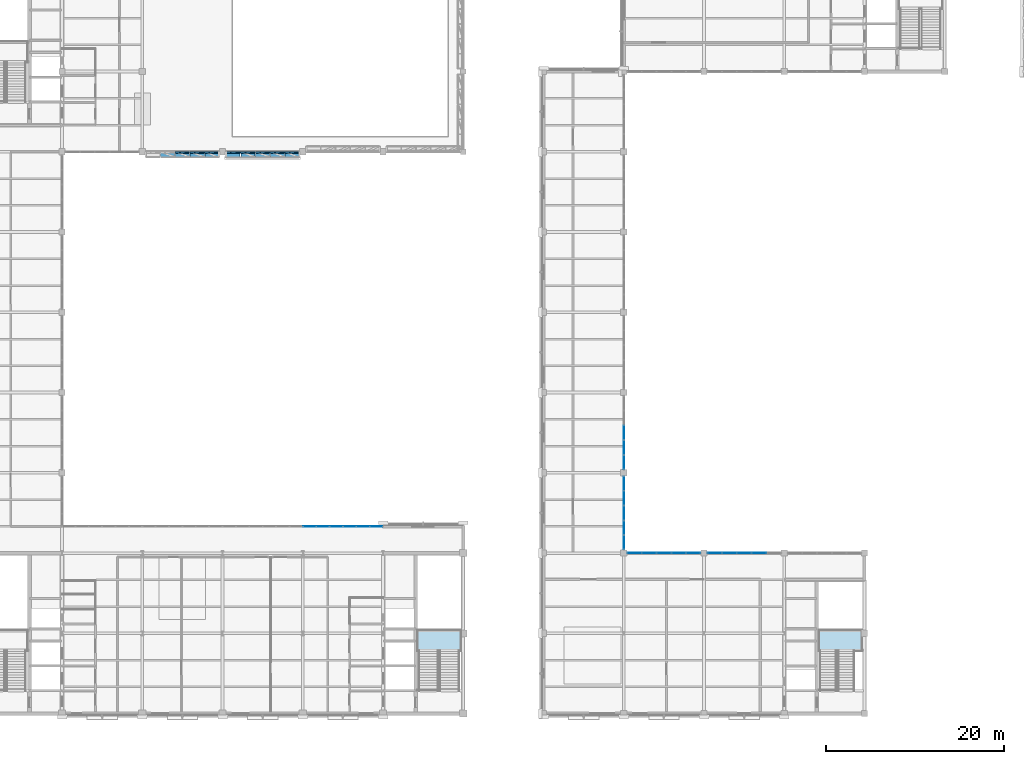
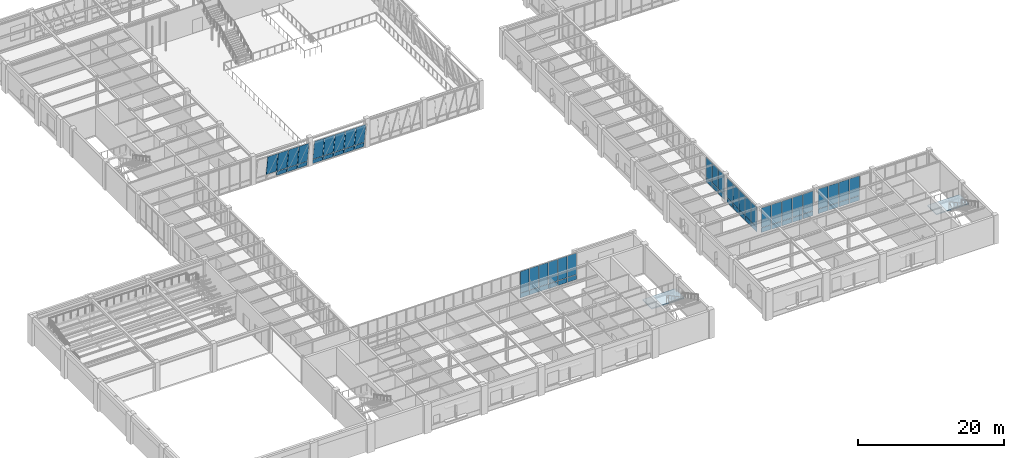
# One storey, part 69 of 98: 63 plates, 2 slabs, 9 elements without a shape of their own.
"""IFC4 building model written with IfcOpenShell, lengths in metres."""

from ifc_helpers import new_model, si_unit, direction, frame, origin, origin_2d, place, context, subcontext, project, spatial, polyline, rectangle, outline, extrude, material, layer, layer_set, type_object, element, aggregate, save


model = new_model("IFC4")

# Units and contexts
model_context = context("Model", 3, precision=1e-05, world=origin(), true_north=direction((0.0, 1.0)))
body_context = subcontext(model_context, "Body", "Model", "MODEL_VIEW")
ifc_project = project(units=[si_unit("LENGTHUNIT", "METRE"), si_unit("AREAUNIT", "SQUARE_METRE"), si_unit("VOLUMEUNIT", "CUBIC_METRE"), si_unit("PLANEANGLEUNIT", "RADIAN"), si_unit("MASSUNIT", "GRAM", prefix="KILO")], contexts=[model_context])

# Site, building, storey
site_placement = place(None, origin())
site = spatial("IfcSite", under=ifc_project, at=site_placement, CompositionType="ELEMENT")
building_placement = place(site_placement, origin())
building = spatial("IfcBuilding", under=site, at=building_placement, Name="Lykobir Media Centre", CompositionType="ELEMENT")
storey_placement = place(building_placement, frame((0.0, 0.0, 10.199951171875)))
storey = spatial("IfcBuildingStorey", under=building, at=storey_placement, Name="L02", CompositionType="ELEMENT", Elevation=10.199951171875)

# Curtain wall, plates
ifc_material_1 = material(Name="Anodized Aluminium AW-6060", Category="aluminium")
curtain_wall_type_1 = type_object("IfcCurtainWallType", Name="CW-COURT-A", PredefinedType="NOTDEFINED", material=ifc_material_1)
curtain_wall_1_placement = place(storey_placement, origin())
curtain_wall_1 = element("IfcCurtainWall", 1, at=curtain_wall_1_placement, inside=storey, type_object=curtain_wall_type_1, Name="Curtain wall CW2-L02-0076", PredefinedType="NOTDEFINED")
ifc_material_2 = material(Name="Low-E Laminated Triple Glazing", Category="glass")
ifc_layer_1 = layer(ifc_material_2, 0.0380859375, Name="Low-E Laminated Triple Glazing")
ifc_layer_set_1 = layer_set([ifc_layer_1], Name="Low-E Laminated Triple Glazing")
plate_type_1 = type_object("IfcPlateType", Name="CWP-GLZ-38", PredefinedType="CURTAIN_PANEL", material=ifc_layer_set_1)
plate_1_placement = place(storey_placement, frame((63.76611328125, 21.0, 0.882568359375), z_axis=(0.0, 0.0, 1.0), x_axis=(1.0, 0.0, 0.0)))
plate_1 = element("IfcPlate", 2, at=plate_1_placement, type_object=plate_type_1, Name="CW2-L02-0076 panel 1.2", PredefinedType="CURTAIN_PANEL", context=body_context, shape_type="SweptSolid", body=[
    extrude(rectangle(XDim=1.402587890625, YDim=0.0380859375, at=origin_2d()), origin(), (0.0, 0.0, 1.0), 3.592529296875),
])
plate_2_placement = place(storey_placement, frame((65.25, 21.0, 0.882568359375), z_axis=(0.0, 0.0, 1.0), x_axis=(1.0, 0.0, 0.0)))
plate_2 = element("IfcPlate", 3, at=plate_2_placement, type_object=plate_type_1, Name="CW2-L02-0076 panel 2.2", PredefinedType="CURTAIN_PANEL", context=body_context, shape_type="SweptSolid", body=[
    extrude(rectangle(XDim=1.43505859375, YDim=0.0380859375, at=origin_2d()), origin(), (0.0, 0.0, 1.0), 3.592529296875),
])
plate_3_placement = place(storey_placement, frame((66.75, 21.0, 0.882568359375), z_axis=(0.0, 0.0, 1.0), x_axis=(1.0, 0.0, 0.0)))
plate_3 = element("IfcPlate", 4, at=plate_3_placement, type_object=plate_type_1, Name="CW2-L02-0076 panel 3.2", PredefinedType="CURTAIN_PANEL", context=body_context, shape_type="SweptSolid", body=[
    extrude(rectangle(XDim=1.43505859375, YDim=0.0380859375, at=origin_2d()), origin(), (0.0, 0.0, 1.0), 3.592529296875),
])
plate_4_placement = place(storey_placement, frame((68.25, 21.0, 0.882568359375), z_axis=(0.0, 0.0, 1.0), x_axis=(1.0, 0.0, 0.0)))
plate_4 = element("IfcPlate", 5, at=plate_4_placement, type_object=plate_type_1, Name="CW2-L02-0076 panel 4.2", PredefinedType="CURTAIN_PANEL", context=body_context, shape_type="SweptSolid", body=[
    extrude(rectangle(XDim=1.43505859375, YDim=0.0380859375, at=origin_2d()), origin(), (0.0, 0.0, 1.0), 3.592529296875),
])
plate_5_placement = place(storey_placement, frame((69.75, 21.0, 0.882568359375), z_axis=(0.0, 0.0, 1.0), x_axis=(1.0, 0.0, 0.0)))
plate_5 = element("IfcPlate", 6, at=plate_5_placement, type_object=plate_type_1, Name="CW2-L02-0076 panel 5.2", PredefinedType="CURTAIN_PANEL", context=body_context, shape_type="SweptSolid", body=[
    extrude(rectangle(XDim=1.43505859375, YDim=0.0380859375, at=origin_2d()), origin(), (0.0, 0.0, 1.0), 3.592529296875),
])
plate_6_placement = place(storey_placement, frame((71.23388671875, 21.0, 0.882568359375), z_axis=(0.0, 0.0, 1.0), x_axis=(1.0, 0.0, 0.0)))
plate_6 = element("IfcPlate", 7, at=plate_6_placement, type_object=plate_type_1, Name="CW2-L02-0076 panel 6.2", PredefinedType="CURTAIN_PANEL", context=body_context, shape_type="SweptSolid", body=[
    extrude(rectangle(XDim=1.402587890625, YDim=0.0380859375, at=origin_2d()), origin(), (0.0, 0.0, 1.0), 3.592529296875),
])

curtain_wall_2_placement = place(storey_placement, origin())
curtain_wall_2 = element("IfcCurtainWall", 8, at=curtain_wall_2_placement, inside=storey, type_object=curtain_wall_type_1, Name="Curtain wall CW2-L02-0099", PredefinedType="NOTDEFINED")
plate_7_placement = place(storey_placement, frame((100.2001953125, 18.0, 0.882568359375), z_axis=(0.0, 0.0, 1.0), x_axis=(1.0, 0.0, 0.0)))
plate_7 = element("IfcPlate", 9, at=plate_7_placement, type_object=plate_type_1, Name="CW2-L02-0099 panel 1.2", PredefinedType="CURTAIN_PANEL", context=body_context, shape_type="SweptSolid", body=[
    extrude(rectangle(XDim=1.560546875, YDim=0.0380859375, at=origin_2d()), origin(), (0.0, 0.0, 1.0), 3.28759765625),
])
plate_8_placement = place(storey_placement, frame((101.842041015625, 18.0, 0.882568359375), z_axis=(0.0, 0.0, 1.0), x_axis=(1.0, 0.0, 0.0)))
plate_8 = element("IfcPlate", 10, at=plate_8_placement, type_object=plate_type_1, Name="CW2-L02-0099 panel 2.2", PredefinedType="CURTAIN_PANEL", context=body_context, shape_type="SweptSolid", body=[
    extrude(rectangle(XDim=1.593017578125, YDim=0.0380859375, at=origin_2d()), origin(), (0.0, 0.0, 1.0), 3.28759765625),
])
plate_9_placement = place(storey_placement, frame((103.5, 18.0, 0.882568359375), z_axis=(0.0, 0.0, 1.0), x_axis=(1.0, 0.0, 0.0)))
plate_9 = element("IfcPlate", 11, at=plate_9_placement, type_object=plate_type_1, Name="CW2-L02-0099 panel 3.2", PredefinedType="CURTAIN_PANEL", context=body_context, shape_type="SweptSolid", body=[
    extrude(rectangle(XDim=1.593017578125, YDim=0.0380859375, at=origin_2d()), origin(), (0.0, 0.0, 1.0), 3.28759765625),
])
plate_10_placement = place(storey_placement, frame((105.157958984375, 18.0, 0.882568359375), z_axis=(0.0, 0.0, 1.0), x_axis=(1.0, 0.0, 0.0)))
plate_10 = element("IfcPlate", 12, at=plate_10_placement, type_object=plate_type_1, Name="CW2-L02-0099 panel 4.2", PredefinedType="CURTAIN_PANEL", context=body_context, shape_type="SweptSolid", body=[
    extrude(rectangle(XDim=1.593017578125, YDim=0.0380859375, at=origin_2d()), origin(), (0.0, 0.0, 1.0), 3.28759765625),
])
plate_11_placement = place(storey_placement, frame((106.7998046875, 18.0, 0.882568359375), z_axis=(0.0, 0.0, 1.0), x_axis=(1.0, 0.0, 0.0)))
plate_11 = element("IfcPlate", 13, at=plate_11_placement, type_object=plate_type_1, Name="CW2-L02-0099 panel 5.2", PredefinedType="CURTAIN_PANEL", context=body_context, shape_type="SweptSolid", body=[
    extrude(rectangle(XDim=1.560546875, YDim=0.0380859375, at=origin_2d()), origin(), (0.0, 0.0, 1.0), 3.28759765625),
])

curtain_wall_3_placement = place(storey_placement, origin())
curtain_wall_3 = element("IfcCurtainWall", 14, at=curtain_wall_3_placement, inside=storey, type_object=curtain_wall_type_1, Name="Curtain wall CW2-L02-0100", PredefinedType="NOTDEFINED")
plate_12_placement = place(storey_placement, frame((109.2001953125, 18.0, 0.882568359375), z_axis=(0.0, 0.0, 1.0), x_axis=(1.0, 0.0, 0.0)))
plate_12 = element("IfcPlate", 15, at=plate_12_placement, type_object=plate_type_1, Name="CW2-L02-0100 panel 1.2", PredefinedType="CURTAIN_PANEL", context=body_context, shape_type="SweptSolid", body=[
    extrude(rectangle(XDim=1.560546875, YDim=0.0380859375, at=origin_2d()), origin(), (0.0, 0.0, 1.0), 3.28759765625),
])
plate_13_placement = place(storey_placement, frame((110.842041015625, 18.0, 0.882568359375), z_axis=(0.0, 0.0, 1.0), x_axis=(1.0, 0.0, 0.0)))
plate_13 = element("IfcPlate", 16, at=plate_13_placement, type_object=plate_type_1, Name="CW2-L02-0100 panel 2.2", PredefinedType="CURTAIN_PANEL", context=body_context, shape_type="SweptSolid", body=[
    extrude(rectangle(XDim=1.593017578125, YDim=0.0380859375, at=origin_2d()), origin(), (0.0, 0.0, 1.0), 3.28759765625),
])
plate_14_placement = place(storey_placement, frame((112.5, 18.0, 0.882568359375), z_axis=(0.0, 0.0, 1.0), x_axis=(1.0, 0.0, 0.0)))
plate_14 = element("IfcPlate", 17, at=plate_14_placement, type_object=plate_type_1, Name="CW2-L02-0100 panel 3.2", PredefinedType="CURTAIN_PANEL", context=body_context, shape_type="SweptSolid", body=[
    extrude(rectangle(XDim=1.593017578125, YDim=0.0380859375, at=origin_2d()), origin(), (0.0, 0.0, 1.0), 3.28759765625),
])
plate_15_placement = place(storey_placement, frame((114.157958984375, 18.0, 0.882568359375), z_axis=(0.0, 0.0, 1.0), x_axis=(1.0, 0.0, 0.0)))
plate_15 = element("IfcPlate", 18, at=plate_15_placement, type_object=plate_type_1, Name="CW2-L02-0100 panel 4.2", PredefinedType="CURTAIN_PANEL", context=body_context, shape_type="SweptSolid", body=[
    extrude(rectangle(XDim=1.593017578125, YDim=0.0380859375, at=origin_2d()), origin(), (0.0, 0.0, 1.0), 3.28759765625),
])

curtain_wall_4_placement = place(storey_placement, origin())
curtain_wall_4 = element("IfcCurtainWall", 19, at=curtain_wall_4_placement, inside=storey, type_object=curtain_wall_type_1, Name="Curtain wall CW2-L02-0102", PredefinedType="NOTDEFINED")
plate_16_placement = place(storey_placement, frame((99.0, 25.7998046875, 0.882568359375), z_axis=(0.0, 0.0, 1.0), x_axis=(0.0, -1.0, 0.0)))
plate_16 = element("IfcPlate", 20, at=plate_16_placement, type_object=plate_type_1, Name="CW2-L02-0102 panel 1.2", PredefinedType="CURTAIN_PANEL", context=body_context, shape_type="SweptSolid", body=[
    extrude(rectangle(XDim=1.560546875, YDim=0.0380859375, at=origin_2d()), origin(), (0.0, 0.0, 1.0), 3.267578125),
])
plate_17_placement = place(storey_placement, frame((99.0, 24.157958984375, 0.882568359375), z_axis=(0.0, 0.0, 1.0), x_axis=(0.0, -1.0, 0.0)))
plate_17 = element("IfcPlate", 21, at=plate_17_placement, type_object=plate_type_1, Name="CW2-L02-0102 panel 2.2", PredefinedType="CURTAIN_PANEL", context=body_context, shape_type="SweptSolid", body=[
    extrude(rectangle(XDim=1.593017578125, YDim=0.0380859375, at=origin_2d()), origin(), (0.0, 0.0, 1.0), 3.267578125),
])
plate_18_placement = place(storey_placement, frame((99.0, 22.5, 0.882568359375), z_axis=(0.0, 0.0, 1.0), x_axis=(0.0, -1.0, 0.0)))
plate_18 = element("IfcPlate", 22, at=plate_18_placement, type_object=plate_type_1, Name="CW2-L02-0102 panel 3.2", PredefinedType="CURTAIN_PANEL", context=body_context, shape_type="SweptSolid", body=[
    extrude(rectangle(XDim=1.593017578125, YDim=0.0380859375, at=origin_2d()), origin(), (0.0, 0.0, 1.0), 3.267578125),
])
plate_19_placement = place(storey_placement, frame((99.0, 20.842041015625, 0.882568359375), z_axis=(0.0, 0.0, 1.0), x_axis=(0.0, -1.0, 0.0)))
plate_19 = element("IfcPlate", 23, at=plate_19_placement, type_object=plate_type_1, Name="CW2-L02-0102 panel 4.2", PredefinedType="CURTAIN_PANEL", context=body_context, shape_type="SweptSolid", body=[
    extrude(rectangle(XDim=1.593017578125, YDim=0.0380859375, at=origin_2d()), origin(), (0.0, 0.0, 1.0), 3.267578125),
])
plate_20_placement = place(storey_placement, frame((99.0, 19.2001953125, 0.882568359375), z_axis=(0.0, 0.0, 1.0), x_axis=(0.0, -1.0, 0.0)))
plate_20 = element("IfcPlate", 24, at=plate_20_placement, type_object=plate_type_1, Name="CW2-L02-0102 panel 5.2", PredefinedType="CURTAIN_PANEL", context=body_context, shape_type="SweptSolid", body=[
    extrude(rectangle(XDim=1.560546875, YDim=0.0380859375, at=origin_2d()), origin(), (0.0, 0.0, 1.0), 3.267578125),
])

curtain_wall_5_placement = place(storey_placement, origin())
curtain_wall_5 = element("IfcCurtainWall", 25, at=curtain_wall_5_placement, inside=storey, type_object=curtain_wall_type_1, Name="Curtain wall CW2-L02-0103", PredefinedType="NOTDEFINED")
plate_21_placement = place(storey_placement, frame((99.0, 31.5, 0.882568359375), z_axis=(0.0, 0.0, 1.0), x_axis=(0.0, -1.0, 0.0)))
plate_21 = element("IfcPlate", 26, at=plate_21_placement, type_object=plate_type_1, Name="CW2-L02-0103 panel 3.2", PredefinedType="CURTAIN_PANEL", context=body_context, shape_type="SweptSolid", body=[
    extrude(rectangle(XDim=1.593017578125, YDim=0.0380859375, at=origin_2d()), origin(), (0.0, 0.0, 1.0), 3.267578125),
])
plate_22_placement = place(storey_placement, frame((99.0, 29.842041015625, 0.882568359375), z_axis=(0.0, 0.0, 1.0), x_axis=(0.0, -1.0, 0.0)))
plate_22 = element("IfcPlate", 27, at=plate_22_placement, type_object=plate_type_1, Name="CW2-L02-0103 panel 4.2", PredefinedType="CURTAIN_PANEL", context=body_context, shape_type="SweptSolid", body=[
    extrude(rectangle(XDim=1.593017578125, YDim=0.0380859375, at=origin_2d()), origin(), (0.0, 0.0, 1.0), 3.267578125),
])
plate_23_placement = place(storey_placement, frame((99.0, 28.2001953125, 0.882568359375), z_axis=(0.0, 0.0, 1.0), x_axis=(0.0, -1.0, 0.0)))
plate_23 = element("IfcPlate", 28, at=plate_23_placement, type_object=plate_type_1, Name="CW2-L02-0103 panel 5.2", PredefinedType="CURTAIN_PANEL", context=body_context, shape_type="SweptSolid", body=[
    extrude(rectangle(XDim=1.560546875, YDim=0.0380859375, at=origin_2d()), origin(), (0.0, 0.0, 1.0), 3.267578125),
])

curtain_wall_type_2 = type_object("IfcCurtainWallType", Name="CW-V6-CR2", PredefinedType="NOTDEFINED", material=ifc_material_1)
curtain_wall_6_placement = place(storey_placement, origin())
curtain_wall_6 = element("IfcCurtainWall", 29, at=curtain_wall_6_placement, inside=storey, type_object=curtain_wall_type_2, Name="Curtain wall CW2-L02-0083", PredefinedType="NOTDEFINED")
ifc_layer_2 = layer(ifc_material_2, 0.0439453125, Name="Low-E Laminated Triple Glazing")
ifc_layer_set_2 = layer_set([ifc_layer_2], Name="Low-E Laminated Triple Glazing")
plate_type_2 = type_object("IfcPlateType", Name="CWP-GLZ-44", PredefinedType="CURTAIN_PANEL", material=ifc_layer_set_2)
plate_24_placement = place(storey_placement, frame((47.842041015625, 62.873291015625, 0.87841796875), z_axis=(0.0, -0.142628933706, 0.989776230908), x_axis=(1.0, 0.0, 0.0)))
plate_24 = element("IfcPlate", 30, at=plate_24_placement, type_object=plate_type_2, Name="CW2-L02-0083 panel 2.2", PredefinedType="CURTAIN_PANEL", context=body_context, shape_type="SweptSolid", body=[
    extrude(rectangle(XDim=1.5830078125, YDim=0.0439453125, at=origin_2d()), origin(), (0.0, 0.0, 1.0), 3.316162109375),
])
plate_25_placement = place(storey_placement, frame((49.5, 62.873291015625, 0.87841796875), z_axis=(0.0, -0.142628933706, 0.989776230908), x_axis=(1.0, 0.0, 0.0)))
plate_25 = element("IfcPlate", 31, at=plate_25_placement, type_object=plate_type_2, Name="CW2-L02-0083 panel 3.2", PredefinedType="CURTAIN_PANEL", context=body_context, shape_type="SweptSolid", body=[
    extrude(rectangle(XDim=1.5830078125, YDim=0.0439453125, at=origin_2d()), origin(), (0.0, 0.0, 1.0), 3.316162109375),
])
plate_26_placement = place(storey_placement, frame((51.157958984375, 62.873291015625, 0.87841796875), z_axis=(0.0, -0.142628933706, 0.989776230908), x_axis=(1.0, 0.0, 0.0)))
plate_26 = element("IfcPlate", 32, at=plate_26_placement, type_object=plate_type_2, Name="CW2-L02-0083 panel 4.2", PredefinedType="CURTAIN_PANEL", context=body_context, shape_type="SweptSolid", body=[
    extrude(rectangle(XDim=1.5830078125, YDim=0.0439453125, at=origin_2d()), origin(), (0.0, 0.0, 1.0), 3.316162109375),
])
plate_27_placement = place(storey_placement, frame((52.79736328125, 62.873291015625, 0.87841796875), z_axis=(0.0, -0.142628933706, 0.989776230908), x_axis=(1.0, 0.0, 0.0)))
plate_27 = element("IfcPlate", 33, at=plate_27_placement, type_object=plate_type_2, Name="CW2-L02-0083 panel 5.2", PredefinedType="CURTAIN_PANEL", context=body_context, shape_type="SweptSolid", body=[
    extrude(rectangle(XDim=1.54541015625, YDim=0.0439453125, at=origin_2d()), origin(), (0.0, 0.0, 1.0), 3.316162109375),
])

curtain_wall_7_placement = place(storey_placement, origin())
curtain_wall_7 = element("IfcCurtainWall", 34, at=curtain_wall_7_placement, inside=storey, type_object=curtain_wall_type_2, Name="Curtain wall CW2-L02-0084", PredefinedType="NOTDEFINED")
plate_28_placement = place(storey_placement, frame((55.20263671875, 62.873291015625, 0.87841796875), z_axis=(0.0, -0.142628933706, 0.989776230908), x_axis=(1.0, 0.0, 0.0)))
plate_28 = element("IfcPlate", 35, at=plate_28_placement, type_object=plate_type_2, Name="CW2-L02-0084 panel 1.2", PredefinedType="CURTAIN_PANEL", context=body_context, shape_type="SweptSolid", body=[
    extrude(rectangle(XDim=1.54541015625, YDim=0.0439453125, at=origin_2d()), origin(), (0.0, 0.0, 1.0), 3.316162109375),
])
plate_29_placement = place(storey_placement, frame((56.842041015625, 62.873291015625, 0.87841796875), z_axis=(0.0, -0.142628933706, 0.989776230908), x_axis=(1.0, 0.0, 0.0)))
plate_29 = element("IfcPlate", 36, at=plate_29_placement, type_object=plate_type_2, Name="CW2-L02-0084 panel 2.2", PredefinedType="CURTAIN_PANEL", context=body_context, shape_type="SweptSolid", body=[
    extrude(rectangle(XDim=1.5830078125, YDim=0.0439453125, at=origin_2d()), origin(), (0.0, 0.0, 1.0), 3.316162109375),
])
plate_30_placement = place(storey_placement, frame((58.5, 62.873291015625, 0.87841796875), z_axis=(0.0, -0.142628933706, 0.989776230908), x_axis=(1.0, 0.0, 0.0)))
plate_30 = element("IfcPlate", 37, at=plate_30_placement, type_object=plate_type_2, Name="CW2-L02-0084 panel 3.2", PredefinedType="CURTAIN_PANEL", context=body_context, shape_type="SweptSolid", body=[
    extrude(rectangle(XDim=1.5830078125, YDim=0.0439453125, at=origin_2d()), origin(), (0.0, 0.0, 1.0), 3.316162109375),
])
plate_31_placement = place(storey_placement, frame((60.157958984375, 62.873291015625, 0.87841796875), z_axis=(0.0, -0.142628933706, 0.989776230908), x_axis=(1.0, 0.0, 0.0)))
plate_31 = element("IfcPlate", 38, at=plate_31_placement, type_object=plate_type_2, Name="CW2-L02-0084 panel 4.2", PredefinedType="CURTAIN_PANEL", context=body_context, shape_type="SweptSolid", body=[
    extrude(rectangle(XDim=1.5830078125, YDim=0.0439453125, at=origin_2d()), origin(), (0.0, 0.0, 1.0), 3.316162109375),
])
plate_32_placement = place(storey_placement, frame((61.79736328125, 62.873291015625, 0.87841796875), z_axis=(0.0, -0.142628933706, 0.989776230908), x_axis=(1.0, 0.0, 0.0)))
plate_32 = element("IfcPlate", 39, at=plate_32_placement, type_object=plate_type_2, Name="CW2-L02-0084 panel 5.2", PredefinedType="CURTAIN_PANEL", context=body_context, shape_type="SweptSolid", body=[
    extrude(rectangle(XDim=1.54541015625, YDim=0.0439453125, at=origin_2d()), origin(), (0.0, 0.0, 1.0), 3.316162109375),
])

# Plate
ifc_material_3 = material(Name="Glazed Turquoise Terracotta", Category="masonry")
ifc_layer_3 = layer(ifc_material_3, 0.06005859375, Name="Glazed Turquoise Terracotta")
ifc_layer_set_3 = layer_set([ifc_layer_3], Name="Glazed Turquoise Terracotta")
plate_type_3 = type_object("IfcPlateType", Name="CWP-SPN-60", PredefinedType="CURTAIN_PANEL", material=ifc_layer_set_3)
plate_33_placement = place(storey_placement, frame((63.76611328125, 21.0, 0.06494140625), z_axis=(0.0, 0.0, 1.0), x_axis=(1.0, 0.0, 0.0)))
plate_33 = element("IfcPlate", 40, at=plate_33_placement, type_object=plate_type_3, Name="CW2-L02-0076 panel 1.1", PredefinedType="CURTAIN_PANEL", context=body_context, shape_type="SweptSolid", body=[
    extrude(rectangle(XDim=1.402587890625, YDim=0.06005859375, at=origin_2d()), origin(), (0.0, 0.0, 1.0), 0.75244140625),
])

plate_34_placement = place(storey_placement, frame((65.25, 21.0, 0.06494140625), z_axis=(0.0, 0.0, 1.0), x_axis=(1.0, 0.0, 0.0)))
plate_34 = element("IfcPlate", 41, at=plate_34_placement, type_object=plate_type_3, Name="CW2-L02-0076 panel 2.1", PredefinedType="CURTAIN_PANEL", context=body_context, shape_type="SweptSolid", body=[
    extrude(rectangle(XDim=1.43505859375, YDim=0.06005859375, at=origin_2d()), origin(), (0.0, 0.0, 1.0), 0.75244140625),
])

plate_35_placement = place(storey_placement, frame((66.75, 21.0, 0.06494140625), z_axis=(0.0, 0.0, 1.0), x_axis=(1.0, 0.0, 0.0)))
plate_35 = element("IfcPlate", 42, at=plate_35_placement, type_object=plate_type_3, Name="CW2-L02-0076 panel 3.1", PredefinedType="CURTAIN_PANEL", context=body_context, shape_type="SweptSolid", body=[
    extrude(rectangle(XDim=1.43505859375, YDim=0.06005859375, at=origin_2d()), origin(), (0.0, 0.0, 1.0), 0.75244140625),
])

plate_36_placement = place(storey_placement, frame((68.25, 21.0, 0.06494140625), z_axis=(0.0, 0.0, 1.0), x_axis=(1.0, 0.0, 0.0)))
plate_36 = element("IfcPlate", 43, at=plate_36_placement, type_object=plate_type_3, Name="CW2-L02-0076 panel 4.1", PredefinedType="CURTAIN_PANEL", context=body_context, shape_type="SweptSolid", body=[
    extrude(rectangle(XDim=1.43505859375, YDim=0.06005859375, at=origin_2d()), origin(), (0.0, 0.0, 1.0), 0.75244140625),
])

plate_37_placement = place(storey_placement, frame((69.75, 21.0, 0.06494140625), z_axis=(0.0, 0.0, 1.0), x_axis=(1.0, 0.0, 0.0)))
plate_37 = element("IfcPlate", 44, at=plate_37_placement, type_object=plate_type_3, Name="CW2-L02-0076 panel 5.1", PredefinedType="CURTAIN_PANEL", context=body_context, shape_type="SweptSolid", body=[
    extrude(rectangle(XDim=1.43505859375, YDim=0.06005859375, at=origin_2d()), origin(), (0.0, 0.0, 1.0), 0.75244140625),
])

plate_38_placement = place(storey_placement, frame((71.23388671875, 21.0, 0.06494140625), z_axis=(0.0, 0.0, 1.0), x_axis=(1.0, 0.0, 0.0)))
plate_38 = element("IfcPlate", 45, at=plate_38_placement, type_object=plate_type_3, Name="CW2-L02-0076 panel 6.1", PredefinedType="CURTAIN_PANEL", context=body_context, shape_type="SweptSolid", body=[
    extrude(rectangle(XDim=1.402587890625, YDim=0.06005859375, at=origin_2d()), origin(), (0.0, 0.0, 1.0), 0.75244140625),
])

aggregate(curtain_wall_1, [plate_33, plate_1, plate_34, plate_2, plate_35, plate_3, plate_36, plate_4, plate_37, plate_5, plate_38, plate_6])

plate_39_placement = place(storey_placement, frame((49.5, 62.9892578125, 0.07421875), z_axis=(0.0, -0.142628933706, 0.989776230908), x_axis=(1.0, 0.0, 0.0)))
plate_39 = element("IfcPlate", 46, at=plate_39_placement, type_object=plate_type_3, Name="CW2-L02-0083 panel 3.1", PredefinedType="CURTAIN_PANEL", context=body_context, shape_type="SweptSolid", body=[
    extrude(rectangle(XDim=1.5830078125, YDim=0.06005859375, at=origin_2d()), origin(), (0.0, 0.0, 1.0), 0.737548828125),
])

plate_40_placement = place(storey_placement, frame((51.157958984375, 62.9892578125, 0.07421875), z_axis=(0.0, -0.142628933706, 0.989776230908), x_axis=(1.0, 0.0, 0.0)))
plate_40 = element("IfcPlate", 47, at=plate_40_placement, type_object=plate_type_3, Name="CW2-L02-0083 panel 4.1", PredefinedType="CURTAIN_PANEL", context=body_context, shape_type="SweptSolid", body=[
    extrude(rectangle(XDim=1.5830078125, YDim=0.06005859375, at=origin_2d()), origin(), (0.0, 0.0, 1.0), 0.737548828125),
])

plate_41_placement = place(storey_placement, frame((52.79736328125, 62.9892578125, 0.07421875), z_axis=(0.0, -0.142628933706, 0.989776230908), x_axis=(1.0, 0.0, 0.0)))
plate_41 = element("IfcPlate", 48, at=plate_41_placement, type_object=plate_type_3, Name="CW2-L02-0083 panel 5.1", PredefinedType="CURTAIN_PANEL", context=body_context, shape_type="SweptSolid", body=[
    extrude(rectangle(XDim=1.54541015625, YDim=0.06005859375, at=origin_2d()), origin(), (0.0, 0.0, 1.0), 0.737548828125),
])

aggregate(curtain_wall_6, [plate_24, plate_39, plate_25, plate_40, plate_26, plate_41, plate_27])

plate_42_placement = place(storey_placement, frame((55.20263671875, 62.9892578125, 0.07421875), z_axis=(0.0, -0.142628933706, 0.989776230908), x_axis=(1.0, 0.0, 0.0)))
plate_42 = element("IfcPlate", 49, at=plate_42_placement, type_object=plate_type_3, Name="CW2-L02-0084 panel 1.1", PredefinedType="CURTAIN_PANEL", context=body_context, shape_type="SweptSolid", body=[
    extrude(rectangle(XDim=1.54541015625, YDim=0.06005859375, at=origin_2d()), origin(), (0.0, 0.0, 1.0), 0.737548828125),
])

plate_43_placement = place(storey_placement, frame((56.842041015625, 62.9892578125, 0.07421875), z_axis=(0.0, -0.142628933706, 0.989776230908), x_axis=(1.0, 0.0, 0.0)))
plate_43 = element("IfcPlate", 50, at=plate_43_placement, type_object=plate_type_3, Name="CW2-L02-0084 panel 2.1", PredefinedType="CURTAIN_PANEL", context=body_context, shape_type="SweptSolid", body=[
    extrude(rectangle(XDim=1.5830078125, YDim=0.06005859375, at=origin_2d()), origin(), (0.0, 0.0, 1.0), 0.737548828125),
])

plate_44_placement = place(storey_placement, frame((58.5, 62.9892578125, 0.07421875), z_axis=(0.0, -0.142628933706, 0.989776230908), x_axis=(1.0, 0.0, 0.0)))
plate_44 = element("IfcPlate", 51, at=plate_44_placement, type_object=plate_type_3, Name="CW2-L02-0084 panel 3.1", PredefinedType="CURTAIN_PANEL", context=body_context, shape_type="SweptSolid", body=[
    extrude(rectangle(XDim=1.5830078125, YDim=0.06005859375, at=origin_2d()), origin(), (0.0, 0.0, 1.0), 0.737548828125),
])

plate_45_placement = place(storey_placement, frame((60.157958984375, 62.9892578125, 0.07421875), z_axis=(0.0, -0.142628933706, 0.989776230908), x_axis=(1.0, 0.0, 0.0)))
plate_45 = element("IfcPlate", 52, at=plate_45_placement, type_object=plate_type_3, Name="CW2-L02-0084 panel 4.1", PredefinedType="CURTAIN_PANEL", context=body_context, shape_type="SweptSolid", body=[
    extrude(rectangle(XDim=1.5830078125, YDim=0.06005859375, at=origin_2d()), origin(), (0.0, 0.0, 1.0), 0.737548828125),
])

plate_46_placement = place(storey_placement, frame((61.79736328125, 62.9892578125, 0.07421875), z_axis=(0.0, -0.142628933706, 0.989776230908), x_axis=(1.0, 0.0, 0.0)))
plate_46 = element("IfcPlate", 53, at=plate_46_placement, type_object=plate_type_3, Name="CW2-L02-0084 panel 5.1", PredefinedType="CURTAIN_PANEL", context=body_context, shape_type="SweptSolid", body=[
    extrude(rectangle(XDim=1.54541015625, YDim=0.06005859375, at=origin_2d()), origin(), (0.0, 0.0, 1.0), 0.737548828125),
])

aggregate(curtain_wall_7, [plate_42, plate_28, plate_43, plate_29, plate_44, plate_30, plate_45, plate_31, plate_46, plate_32])

plate_47_placement = place(storey_placement, frame((100.2001953125, 18.0, 0.06494140625), z_axis=(0.0, 0.0, 1.0), x_axis=(1.0, 0.0, 0.0)))
plate_47 = element("IfcPlate", 54, at=plate_47_placement, type_object=plate_type_3, Name="CW2-L02-0099 panel 1.1", PredefinedType="CURTAIN_PANEL", context=body_context, shape_type="SweptSolid", body=[
    extrude(rectangle(XDim=1.560546875, YDim=0.06005859375, at=origin_2d()), origin(), (0.0, 0.0, 1.0), 0.75244140625),
])

plate_48_placement = place(storey_placement, frame((101.842041015625, 18.0, 0.06494140625), z_axis=(0.0, 0.0, 1.0), x_axis=(1.0, 0.0, 0.0)))
plate_48 = element("IfcPlate", 55, at=plate_48_placement, type_object=plate_type_3, Name="CW2-L02-0099 panel 2.1", PredefinedType="CURTAIN_PANEL", context=body_context, shape_type="SweptSolid", body=[
    extrude(rectangle(XDim=1.593017578125, YDim=0.06005859375, at=origin_2d()), origin(), (0.0, 0.0, 1.0), 0.75244140625),
])

plate_49_placement = place(storey_placement, frame((103.5, 18.0, 0.06494140625), z_axis=(0.0, 0.0, 1.0), x_axis=(1.0, 0.0, 0.0)))
plate_49 = element("IfcPlate", 56, at=plate_49_placement, type_object=plate_type_3, Name="CW2-L02-0099 panel 3.1", PredefinedType="CURTAIN_PANEL", context=body_context, shape_type="SweptSolid", body=[
    extrude(rectangle(XDim=1.593017578125, YDim=0.06005859375, at=origin_2d()), origin(), (0.0, 0.0, 1.0), 0.75244140625),
])

plate_50_placement = place(storey_placement, frame((105.157958984375, 18.0, 0.06494140625), z_axis=(0.0, 0.0, 1.0), x_axis=(1.0, 0.0, 0.0)))
plate_50 = element("IfcPlate", 57, at=plate_50_placement, type_object=plate_type_3, Name="CW2-L02-0099 panel 4.1", PredefinedType="CURTAIN_PANEL", context=body_context, shape_type="SweptSolid", body=[
    extrude(rectangle(XDim=1.593017578125, YDim=0.06005859375, at=origin_2d()), origin(), (0.0, 0.0, 1.0), 0.75244140625),
])

plate_51_placement = place(storey_placement, frame((106.7998046875, 18.0, 0.06494140625), z_axis=(0.0, 0.0, 1.0), x_axis=(1.0, 0.0, 0.0)))
plate_51 = element("IfcPlate", 58, at=plate_51_placement, type_object=plate_type_3, Name="CW2-L02-0099 panel 5.1", PredefinedType="CURTAIN_PANEL", context=body_context, shape_type="SweptSolid", body=[
    extrude(rectangle(XDim=1.560546875, YDim=0.06005859375, at=origin_2d()), origin(), (0.0, 0.0, 1.0), 0.75244140625),
])

aggregate(curtain_wall_2, [plate_47, plate_7, plate_48, plate_8, plate_49, plate_9, plate_50, plate_10, plate_51, plate_11])

plate_52_placement = place(storey_placement, frame((109.2001953125, 18.0, 0.06494140625), z_axis=(0.0, 0.0, 1.0), x_axis=(1.0, 0.0, 0.0)))
plate_52 = element("IfcPlate", 59, at=plate_52_placement, type_object=plate_type_3, Name="CW2-L02-0100 panel 1.1", PredefinedType="CURTAIN_PANEL", context=body_context, shape_type="SweptSolid", body=[
    extrude(rectangle(XDim=1.560546875, YDim=0.06005859375, at=origin_2d()), origin(), (0.0, 0.0, 1.0), 0.75244140625),
])

plate_53_placement = place(storey_placement, frame((110.842041015625, 18.0, 0.06494140625), z_axis=(0.0, 0.0, 1.0), x_axis=(1.0, 0.0, 0.0)))
plate_53 = element("IfcPlate", 60, at=plate_53_placement, type_object=plate_type_3, Name="CW2-L02-0100 panel 2.1", PredefinedType="CURTAIN_PANEL", context=body_context, shape_type="SweptSolid", body=[
    extrude(rectangle(XDim=1.593017578125, YDim=0.06005859375, at=origin_2d()), origin(), (0.0, 0.0, 1.0), 0.75244140625),
])

plate_54_placement = place(storey_placement, frame((112.5, 18.0, 0.06494140625), z_axis=(0.0, 0.0, 1.0), x_axis=(1.0, 0.0, 0.0)))
plate_54 = element("IfcPlate", 61, at=plate_54_placement, type_object=plate_type_3, Name="CW2-L02-0100 panel 3.1", PredefinedType="CURTAIN_PANEL", context=body_context, shape_type="SweptSolid", body=[
    extrude(rectangle(XDim=1.593017578125, YDim=0.06005859375, at=origin_2d()), origin(), (0.0, 0.0, 1.0), 0.75244140625),
])

plate_55_placement = place(storey_placement, frame((114.157958984375, 18.0, 0.06494140625), z_axis=(0.0, 0.0, 1.0), x_axis=(1.0, 0.0, 0.0)))
plate_55 = element("IfcPlate", 62, at=plate_55_placement, type_object=plate_type_3, Name="CW2-L02-0100 panel 4.1", PredefinedType="CURTAIN_PANEL", context=body_context, shape_type="SweptSolid", body=[
    extrude(rectangle(XDim=1.593017578125, YDim=0.06005859375, at=origin_2d()), origin(), (0.0, 0.0, 1.0), 0.75244140625),
])

aggregate(curtain_wall_3, [plate_52, plate_12, plate_53, plate_13, plate_54, plate_14, plate_55, plate_15])

plate_56_placement = place(storey_placement, frame((99.0, 25.7998046875, 0.06494140625), z_axis=(0.0, 0.0, 1.0), x_axis=(0.0, -1.0, 0.0)))
plate_56 = element("IfcPlate", 63, at=plate_56_placement, type_object=plate_type_3, Name="CW2-L02-0102 panel 1.1", PredefinedType="CURTAIN_PANEL", context=body_context, shape_type="SweptSolid", body=[
    extrude(rectangle(XDim=1.560546875, YDim=0.06005859375, at=origin_2d()), origin(), (0.0, 0.0, 1.0), 0.75244140625),
])

plate_57_placement = place(storey_placement, frame((99.0, 24.157958984375, 0.06494140625), z_axis=(0.0, 0.0, 1.0), x_axis=(0.0, -1.0, 0.0)))
plate_57 = element("IfcPlate", 64, at=plate_57_placement, type_object=plate_type_3, Name="CW2-L02-0102 panel 2.1", PredefinedType="CURTAIN_PANEL", context=body_context, shape_type="SweptSolid", body=[
    extrude(rectangle(XDim=1.593017578125, YDim=0.06005859375, at=origin_2d()), origin(), (0.0, 0.0, 1.0), 0.75244140625),
])

plate_58_placement = place(storey_placement, frame((99.0, 22.5, 0.06494140625), z_axis=(0.0, 0.0, 1.0), x_axis=(0.0, -1.0, 0.0)))
plate_58 = element("IfcPlate", 65, at=plate_58_placement, type_object=plate_type_3, Name="CW2-L02-0102 panel 3.1", PredefinedType="CURTAIN_PANEL", context=body_context, shape_type="SweptSolid", body=[
    extrude(rectangle(XDim=1.593017578125, YDim=0.06005859375, at=origin_2d()), origin(), (0.0, 0.0, 1.0), 0.75244140625),
])

plate_59_placement = place(storey_placement, frame((99.0, 20.842041015625, 0.06494140625), z_axis=(0.0, 0.0, 1.0), x_axis=(0.0, -1.0, 0.0)))
plate_59 = element("IfcPlate", 66, at=plate_59_placement, type_object=plate_type_3, Name="CW2-L02-0102 panel 4.1", PredefinedType="CURTAIN_PANEL", context=body_context, shape_type="SweptSolid", body=[
    extrude(rectangle(XDim=1.593017578125, YDim=0.06005859375, at=origin_2d()), origin(), (0.0, 0.0, 1.0), 0.75244140625),
])

plate_60_placement = place(storey_placement, frame((99.0, 19.2001953125, 0.06494140625), z_axis=(0.0, 0.0, 1.0), x_axis=(0.0, -1.0, 0.0)))
plate_60 = element("IfcPlate", 67, at=plate_60_placement, type_object=plate_type_3, Name="CW2-L02-0102 panel 5.1", PredefinedType="CURTAIN_PANEL", context=body_context, shape_type="SweptSolid", body=[
    extrude(rectangle(XDim=1.560546875, YDim=0.06005859375, at=origin_2d()), origin(), (0.0, 0.0, 1.0), 0.75244140625),
])

aggregate(curtain_wall_4, [plate_56, plate_16, plate_57, plate_17, plate_58, plate_18, plate_59, plate_19, plate_60, plate_20])

plate_61_placement = place(storey_placement, frame((99.0, 31.5, 0.06494140625), z_axis=(0.0, 0.0, 1.0), x_axis=(0.0, -1.0, 0.0)))
plate_61 = element("IfcPlate", 68, at=plate_61_placement, type_object=plate_type_3, Name="CW2-L02-0103 panel 3.1", PredefinedType="CURTAIN_PANEL", context=body_context, shape_type="SweptSolid", body=[
    extrude(rectangle(XDim=1.593017578125, YDim=0.06005859375, at=origin_2d()), origin(), (0.0, 0.0, 1.0), 0.75244140625),
])

plate_62_placement = place(storey_placement, frame((99.0, 29.842041015625, 0.06494140625), z_axis=(0.0, 0.0, 1.0), x_axis=(0.0, -1.0, 0.0)))
plate_62 = element("IfcPlate", 69, at=plate_62_placement, type_object=plate_type_3, Name="CW2-L02-0103 panel 4.1", PredefinedType="CURTAIN_PANEL", context=body_context, shape_type="SweptSolid", body=[
    extrude(rectangle(XDim=1.593017578125, YDim=0.06005859375, at=origin_2d()), origin(), (0.0, 0.0, 1.0), 0.75244140625),
])

plate_63_placement = place(storey_placement, frame((99.0, 28.2001953125, 0.06494140625), z_axis=(0.0, 0.0, 1.0), x_axis=(0.0, -1.0, 0.0)))
plate_63 = element("IfcPlate", 70, at=plate_63_placement, type_object=plate_type_3, Name="CW2-L02-0103 panel 5.1", PredefinedType="CURTAIN_PANEL", context=body_context, shape_type="SweptSolid", body=[
    extrude(rectangle(XDim=1.560546875, YDim=0.06005859375, at=origin_2d()), origin(), (0.0, 0.0, 1.0), 0.75244140625),
])

aggregate(curtain_wall_5, [plate_61, plate_21, plate_62, plate_22, plate_63, plate_23])

# Stair, slab
ifc_material_4 = material(Name="Concrete C30/37", Category="concrete")
stair_type_1 = type_object("IfcStairType", Name="ST-AUX-480", PredefinedType="HALF_TURN_STAIR", material=ifc_material_4)
stair_1_placement = place(storey_placement, origin())
stair_1 = element("IfcStair", 71, at=stair_1_placement, inside=storey, type_object=stair_type_1, Name="Escape stair ST-5 L02", PredefinedType="HALF_TURN_STAIR")
ifc_layer_4 = layer(ifc_material_4, 0.18505859375, Name="Concrete C30/37")
ifc_layer_set_4 = layer_set([ifc_layer_4], Name="Concrete C30/37")
slab_type_1 = type_object("IfcSlabType", Name="SL-185", PredefinedType="LANDING", material=ifc_layer_set_4)
slab_1_placement = place(storey_placement, frame((0.0, 0.0, 2.215087890625)))
slab_1 = element("IfcSlab", 72, at=slab_1_placement, type_object=slab_type_1, Name="ST-5-L02 landing 1", PredefinedType="LANDING", context=body_context, shape_type="SweptSolid", body=[
    extrude(outline(polyline([(120.72998046875, 6.949951171875), (125.8701171875, 6.949951171875), (125.8701171875, 9.429931640625), (120.72998046875, 9.429931640625), (120.72998046875, 6.949951171875)])), origin(), (0.0, 0.0, 1.0), 0.18505859375),
])
aggregate(stair_1, [slab_1])

stair_type_2 = type_object("IfcStairType", Name="ST-HT-480", PredefinedType="HALF_TURN_STAIR", material=ifc_material_4)
stair_2_placement = place(storey_placement, origin())
stair_2 = element("IfcStair", 73, at=stair_2_placement, inside=storey, type_object=stair_type_2, Name="Escape stair ST-2 L02", PredefinedType="HALF_TURN_STAIR")
ifc_layer_5 = layer(ifc_material_4, 0.195068359375, Name="Concrete C30/37")
ifc_layer_set_5 = layer_set([ifc_layer_5], Name="Concrete C30/37")
slab_type_2 = type_object("IfcSlabType", Name="SL-195", PredefinedType="LANDING", material=ifc_layer_set_5)
slab_2_placement = place(storey_placement, frame((0.0, 0.0, 2.205078125)))
slab_2 = element("IfcSlab", 74, at=slab_2_placement, type_object=slab_type_2, Name="ST-2-L02 landing 1", PredefinedType="LANDING", context=body_context, shape_type="SweptSolid", body=[
    extrude(outline(polyline([(75.72998046875, 6.949951171875), (80.8701171875, 6.949951171875), (80.8701171875, 9.429931640625), (75.72998046875, 9.429931640625), (75.72998046875, 6.949951171875)])), origin(), (0.0, 0.0, 1.0), 0.195068359375),
])
aggregate(stair_2, [slab_2])

save(model, "model.ifc")
